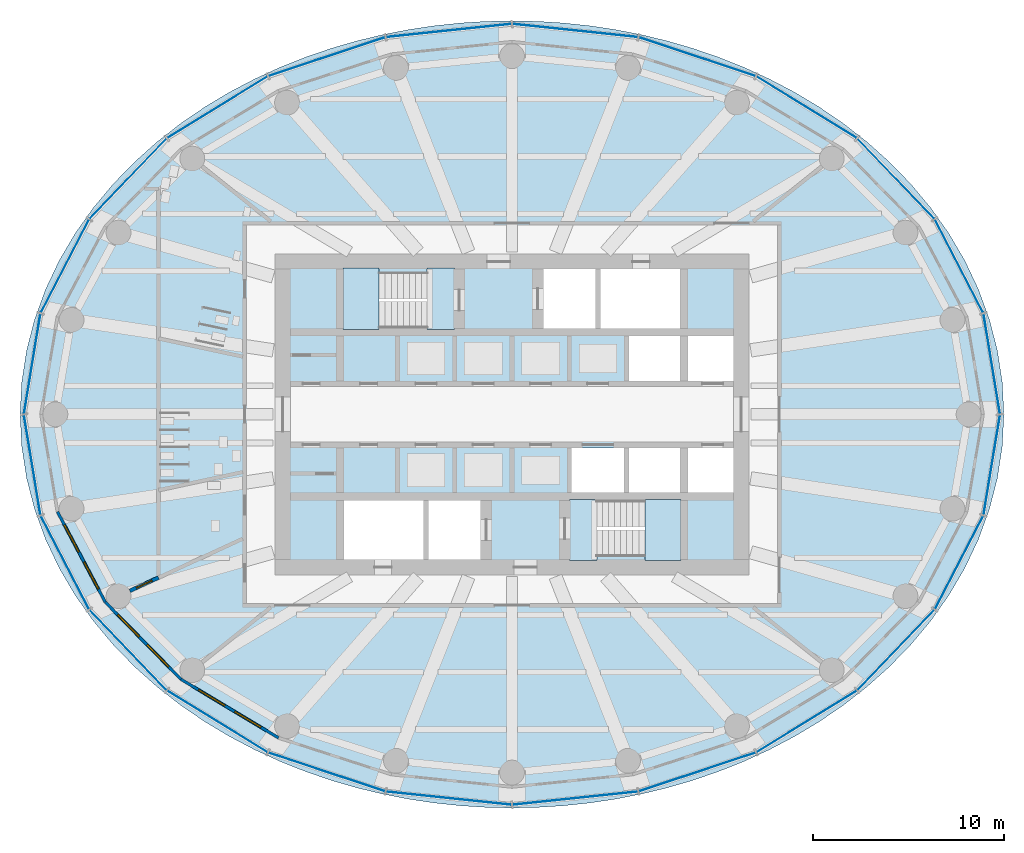
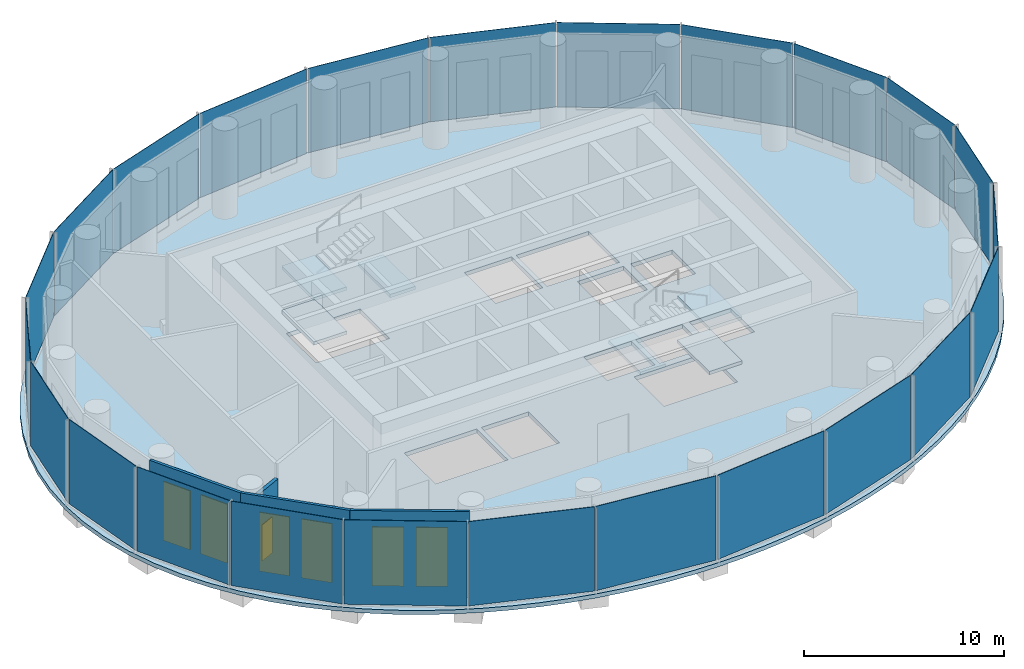
# One storey, part 4 of 13: 24 plates, 7 slabs, 6 windows, 4 walls, 1 door, 7 openings, 6 elements without a shape of their own.
"""IFC4 building model written with IfcOpenShell, lengths in metres."""

from ifc_helpers import new_model, si_unit, direction, frame, frame_2d, origin, origin_2d, place, context, subcontext, project, spatial, polyline, rectangle, outline, extrude, material, layer, layer_set, type_object, element, fill, aggregate, save


model = new_model("IFC4")

# Units and contexts
model_context = context("Model", 3, precision=1e-05, world=origin(), true_north=direction((0.0, 1.0)))
body_context = subcontext(model_context, "Body", "Model", "MODEL_VIEW")
ifc_project = project(units=[si_unit("LENGTHUNIT", "METRE"), si_unit("AREAUNIT", "SQUARE_METRE"), si_unit("VOLUMEUNIT", "CUBIC_METRE"), si_unit("PLANEANGLEUNIT", "RADIAN"), si_unit("MASSUNIT", "GRAM", prefix="KILO")], contexts=[model_context])

# Site, building, storey
site_placement = place(None, origin())
site = spatial("IfcSite", under=ifc_project, at=site_placement, CompositionType="ELEMENT")
building_placement = place(site_placement, origin())
building = spatial("IfcBuilding", under=site, at=building_placement, Name="Hankou Lantern Tower", CompositionType="ELEMENT")
storey_placement = place(building_placement, frame((0.0, 0.0, 100.199951171875)))
storey = spatial("IfcBuildingStorey", under=building, at=storey_placement, Name="L25", CompositionType="ELEMENT", Elevation=100.199951171875)

# Curtain wall, plates
ifc_material_1 = material(Name="Glass, dark grey tinted laminated", Category="glass")
curtain_wall_type = type_object("IfcCurtainWallType", Name="CWB OUTER SKIN MID-RISE", PredefinedType="USERDEFINED", material=ifc_material_1)
curtain_wall_1_placement = place(storey_placement, origin())
curtain_wall_1 = element("IfcCurtainWall", 1, at=curtain_wall_1_placement, inside=storey, type_object=curtain_wall_type, Name="CWB L25 OS1", ObjectType="OUTER SKIN MID-RISE", PredefinedType="USERDEFINED")
ifc_material_2 = material(Name="Glass, dark grey tinted laminated", Category="glass")
ifc_layer_1 = layer(ifc_material_2, 0.028076171875)
ifc_layer_set_1 = layer_set([ifc_layer_1], Name="Glass, dark grey tinted laminated")
plate_type = type_object("IfcPlateType", Name="PN3 OUTER SKIN TALL GLASS PANEL", PredefinedType="CURTAIN_PANEL", material=ifc_layer_set_1)
plate_1_placement = place(storey_placement, frame((25.11474609375, 2.64501953125, 0.080078125), z_axis=(0.0, 0.0, 1.0), x_axis=(-0.162381515188, 0.986728049427, 0.0)))
plate_1 = element("IfcPlate", 2, at=plate_1_placement, type_object=plate_type, Name="CWB glass panel 1", PredefinedType="CURTAIN_PANEL", context=body_context, shape_type="SweptSolid", body=[
    extrude(rectangle(XDim=5.281494140625, YDim=0.028076171875, at=origin_2d()), origin(), (0.0, 0.0, 1.0), 5.139892578125),
])
plate_2_placement = place(storey_placement, frame((23.403076171875, 7.755126953125, 0.080078125), z_axis=(0.0, 0.0, 1.0), x_axis=(-0.459791091957, 0.888027112062, 0.0)))
plate_2 = element("IfcPlate", 3, at=plate_2_placement, type_object=plate_type, Name="CWB glass panel 2", PredefinedType="CURTAIN_PANEL", context=body_context, shape_type="SweptSolid", body=[
    extrude(rectangle(XDim=5.471435546875, YDim=0.028076171875, at=origin_2d()), origin(), (0.0, 0.0, 1.0), 5.139892578125),
])
plate_3_placement = place(storey_placement, frame((20.0966796875, 12.336669921875, 0.080078125), z_axis=(0.0, 0.0, 1.0), x_axis=(-0.692215809936, 0.721690565599, 0.0)))
plate_3 = element("IfcPlate", 4, at=plate_3_placement, type_object=plate_type, Name="CWB glass panel 3", PredefinedType="CURTAIN_PANEL", context=body_context, shape_type="SweptSolid", body=[
    extrude(rectangle(XDim=5.78564453125, YDim=0.028076171875, at=origin_2d()), origin(), (0.0, 0.0, 1.0), 5.139892578125),
])
plate_4_placement = place(storey_placement, frame((15.4208984375, 16.077392578125, 0.080078125), z_axis=(0.0, 0.0, 1.0), x_axis=(-0.852237151549, 0.523155653242, 0.0)))
plate_4 = element("IfcPlate", 5, at=plate_4_placement, type_object=plate_type, Name="CWB glass panel 4", PredefinedType="CURTAIN_PANEL", context=body_context, shape_type="SweptSolid", body=[
    extrude(rectangle(XDim=6.129150390625, YDim=0.028076171875, at=origin_2d()), origin(), (0.0, 0.0, 1.0), 5.139892578125),
])
plate_5_placement = place(storey_placement, frame((9.69384765625, 18.72265625, 0.080078125), z_axis=(0.0, 0.0, 1.0), x_axis=(-0.949240677293, 0.31455068999, 0.0)))
plate_5 = element("IfcPlate", 6, at=plate_5_placement, type_object=plate_type, Name="CWB glass panel 5", PredefinedType="CURTAIN_PANEL", context=body_context, shape_type="SweptSolid", body=[
    extrude(rectangle(XDim=6.41162109375, YDim=0.028076171875, at=origin_2d()), origin(), (0.0, 0.0, 1.0), 5.139892578125),
])
plate_6_placement = place(storey_placement, frame((3.306396484375, 20.091796875, 0.080078125), z_axis=(0.0, 0.0, 1.0), x_axis=(-0.994499359107, 0.104742659579, 0.0)))
plate_6 = element("IfcPlate", 7, at=plate_6_placement, type_object=plate_type, Name="CWB glass panel 6", PredefinedType="CURTAIN_PANEL", context=body_context, shape_type="SweptSolid", body=[
    extrude(rectangle(XDim=6.5693359375, YDim=0.028076171875, at=origin_2d()), origin(), (0.0, 0.0, 1.0), 5.139892578125),
])
aggregate(curtain_wall_1, [plate_1, plate_2, plate_3, plate_4, plate_5, plate_6])

curtain_wall_2_placement = place(storey_placement, origin())
curtain_wall_2 = element("IfcCurtainWall", 8, at=curtain_wall_2_placement, inside=storey, type_object=curtain_wall_type, Name="CWB L25 OS2", ObjectType="OUTER SKIN MID-RISE", PredefinedType="USERDEFINED")
plate_7_placement = place(storey_placement, frame((-3.306396484375, 20.091796875, 0.080078125), z_axis=(0.0, 0.0, 1.0), x_axis=(-0.994499359107, -0.104742659579, 0.0)))
plate_7 = element("IfcPlate", 9, at=plate_7_placement, type_object=plate_type, Name="CWB glass panel 1", PredefinedType="CURTAIN_PANEL", context=body_context, shape_type="SweptSolid", body=[
    extrude(rectangle(XDim=6.5693359375, YDim=0.028076171875, at=origin_2d()), origin(), (0.0, 0.0, 1.0), 5.139892578125),
])
plate_8_placement = place(storey_placement, frame((-9.69384765625, 18.72265625, 0.080078125), z_axis=(0.0, 0.0, 1.0), x_axis=(-0.949240677293, -0.31455068999, 0.0)))
plate_8 = element("IfcPlate", 10, at=plate_8_placement, type_object=plate_type, Name="CWB glass panel 2", PredefinedType="CURTAIN_PANEL", context=body_context, shape_type="SweptSolid", body=[
    extrude(rectangle(XDim=6.41162109375, YDim=0.028076171875, at=origin_2d()), origin(), (0.0, 0.0, 1.0), 5.139892578125),
])
plate_9_placement = place(storey_placement, frame((-15.4208984375, 16.077392578125, 0.080078125), z_axis=(0.0, 0.0, 1.0), x_axis=(-0.852237151549, -0.523155653242, 0.0)))
plate_9 = element("IfcPlate", 11, at=plate_9_placement, type_object=plate_type, Name="CWB glass panel 3", PredefinedType="CURTAIN_PANEL", context=body_context, shape_type="SweptSolid", body=[
    extrude(rectangle(XDim=6.129150390625, YDim=0.028076171875, at=origin_2d()), origin(), (0.0, 0.0, 1.0), 5.139892578125),
])
plate_10_placement = place(storey_placement, frame((-20.0966796875, 12.336669921875, 0.080078125), z_axis=(0.0, 0.0, 1.0), x_axis=(-0.692215809936, -0.721690565599, 0.0)))
plate_10 = element("IfcPlate", 12, at=plate_10_placement, type_object=plate_type, Name="CWB glass panel 4", PredefinedType="CURTAIN_PANEL", context=body_context, shape_type="SweptSolid", body=[
    extrude(rectangle(XDim=5.78564453125, YDim=0.028076171875, at=origin_2d()), origin(), (0.0, 0.0, 1.0), 5.139892578125),
])
plate_11_placement = place(storey_placement, frame((-23.403076171875, 7.755126953125, 0.080078125), z_axis=(0.0, 0.0, 1.0), x_axis=(-0.459791091957, -0.888027112062, 0.0)))
plate_11 = element("IfcPlate", 13, at=plate_11_placement, type_object=plate_type, Name="CWB glass panel 5", PredefinedType="CURTAIN_PANEL", context=body_context, shape_type="SweptSolid", body=[
    extrude(rectangle(XDim=5.471435546875, YDim=0.028076171875, at=origin_2d()), origin(), (0.0, 0.0, 1.0), 5.139892578125),
])
plate_12_placement = place(storey_placement, frame((-25.11474609375, 2.64501953125, 0.080078125), z_axis=(0.0, 0.0, 1.0), x_axis=(-0.162381515188, -0.986728049427, 0.0)))
plate_12 = element("IfcPlate", 14, at=plate_12_placement, type_object=plate_type, Name="CWB glass panel 6", PredefinedType="CURTAIN_PANEL", context=body_context, shape_type="SweptSolid", body=[
    extrude(rectangle(XDim=5.281494140625, YDim=0.028076171875, at=origin_2d()), origin(), (0.0, 0.0, 1.0), 5.139892578125),
])
aggregate(curtain_wall_2, [plate_7, plate_8, plate_9, plate_10, plate_11, plate_12])

curtain_wall_3_placement = place(storey_placement, origin())
curtain_wall_3 = element("IfcCurtainWall", 15, at=curtain_wall_3_placement, inside=storey, type_object=curtain_wall_type, Name="CWB L25 OS3", ObjectType="OUTER SKIN MID-RISE", PredefinedType="USERDEFINED")
plate_13_placement = place(storey_placement, frame((-25.11474609375, -2.64501953125, 0.080078125), z_axis=(0.0, 0.0, 1.0), x_axis=(0.162381515188, -0.986728049427, 0.0)))
plate_13 = element("IfcPlate", 16, at=plate_13_placement, type_object=plate_type, Name="CWB glass panel 1", PredefinedType="CURTAIN_PANEL", context=body_context, shape_type="SweptSolid", body=[
    extrude(rectangle(XDim=5.281494140625, YDim=0.028076171875, at=origin_2d()), origin(), (0.0, 0.0, 1.0), 5.139892578125),
])
plate_14_placement = place(storey_placement, frame((-23.403076171875, -7.755126953125, 0.080078125), z_axis=(0.0, 0.0, 1.0), x_axis=(0.459791091957, -0.888027112062, 0.0)))
plate_14 = element("IfcPlate", 17, at=plate_14_placement, type_object=plate_type, Name="CWB glass panel 2", PredefinedType="CURTAIN_PANEL", context=body_context, shape_type="SweptSolid", body=[
    extrude(rectangle(XDim=5.471435546875, YDim=0.028076171875, at=origin_2d()), origin(), (0.0, 0.0, 1.0), 5.139892578125),
])
plate_15_placement = place(storey_placement, frame((-20.0966796875, -12.336669921875, 0.080078125), z_axis=(0.0, 0.0, 1.0), x_axis=(0.692215809936, -0.721690565599, 0.0)))
plate_15 = element("IfcPlate", 18, at=plate_15_placement, type_object=plate_type, Name="CWB glass panel 3", PredefinedType="CURTAIN_PANEL", context=body_context, shape_type="SweptSolid", body=[
    extrude(rectangle(XDim=5.78564453125, YDim=0.028076171875, at=origin_2d()), origin(), (0.0, 0.0, 1.0), 5.139892578125),
])
plate_16_placement = place(storey_placement, frame((-15.4208984375, -16.077392578125, 0.080078125), z_axis=(0.0, 0.0, 1.0), x_axis=(0.852237151549, -0.523155653242, 0.0)))
plate_16 = element("IfcPlate", 19, at=plate_16_placement, type_object=plate_type, Name="CWB glass panel 4", PredefinedType="CURTAIN_PANEL", context=body_context, shape_type="SweptSolid", body=[
    extrude(rectangle(XDim=6.129150390625, YDim=0.028076171875, at=origin_2d()), origin(), (0.0, 0.0, 1.0), 5.139892578125),
])
plate_17_placement = place(storey_placement, frame((-9.69384765625, -18.72265625, 0.080078125), z_axis=(0.0, 0.0, 1.0), x_axis=(0.949240677293, -0.31455068999, 0.0)))
plate_17 = element("IfcPlate", 20, at=plate_17_placement, type_object=plate_type, Name="CWB glass panel 5", PredefinedType="CURTAIN_PANEL", context=body_context, shape_type="SweptSolid", body=[
    extrude(rectangle(XDim=6.41162109375, YDim=0.028076171875, at=origin_2d()), origin(), (0.0, 0.0, 1.0), 5.139892578125),
])
plate_18_placement = place(storey_placement, frame((-3.306396484375, -20.091796875, 0.080078125), z_axis=(0.0, 0.0, 1.0), x_axis=(0.994499359107, -0.104742659579, 0.0)))
plate_18 = element("IfcPlate", 21, at=plate_18_placement, type_object=plate_type, Name="CWB glass panel 6", PredefinedType="CURTAIN_PANEL", context=body_context, shape_type="SweptSolid", body=[
    extrude(rectangle(XDim=6.5693359375, YDim=0.028076171875, at=origin_2d()), origin(), (0.0, 0.0, 1.0), 5.139892578125),
])
aggregate(curtain_wall_3, [plate_13, plate_14, plate_15, plate_16, plate_17, plate_18])

curtain_wall_4_placement = place(storey_placement, origin())
curtain_wall_4 = element("IfcCurtainWall", 22, at=curtain_wall_4_placement, inside=storey, type_object=curtain_wall_type, Name="CWB L25 OS4", ObjectType="OUTER SKIN MID-RISE", PredefinedType="USERDEFINED")
plate_19_placement = place(storey_placement, frame((3.306396484375, -20.091796875, 0.080078125), z_axis=(0.0, 0.0, 1.0), x_axis=(0.994499359107, 0.104742659579, 0.0)))
plate_19 = element("IfcPlate", 23, at=plate_19_placement, type_object=plate_type, Name="CWB glass panel 1", PredefinedType="CURTAIN_PANEL", context=body_context, shape_type="SweptSolid", body=[
    extrude(rectangle(XDim=6.5693359375, YDim=0.028076171875, at=origin_2d()), origin(), (0.0, 0.0, 1.0), 5.139892578125),
])
plate_20_placement = place(storey_placement, frame((9.69384765625, -18.72265625, 0.080078125), z_axis=(0.0, 0.0, 1.0), x_axis=(0.949240677293, 0.31455068999, 0.0)))
plate_20 = element("IfcPlate", 24, at=plate_20_placement, type_object=plate_type, Name="CWB glass panel 2", PredefinedType="CURTAIN_PANEL", context=body_context, shape_type="SweptSolid", body=[
    extrude(rectangle(XDim=6.41162109375, YDim=0.028076171875, at=origin_2d()), origin(), (0.0, 0.0, 1.0), 5.139892578125),
])
plate_21_placement = place(storey_placement, frame((15.4208984375, -16.077392578125, 0.080078125), z_axis=(0.0, 0.0, 1.0), x_axis=(0.852237151549, 0.523155653242, 0.0)))
plate_21 = element("IfcPlate", 25, at=plate_21_placement, type_object=plate_type, Name="CWB glass panel 3", PredefinedType="CURTAIN_PANEL", context=body_context, shape_type="SweptSolid", body=[
    extrude(rectangle(XDim=6.129150390625, YDim=0.028076171875, at=origin_2d()), origin(), (0.0, 0.0, 1.0), 5.139892578125),
])
plate_22_placement = place(storey_placement, frame((20.0966796875, -12.336669921875, 0.080078125), z_axis=(0.0, 0.0, 1.0), x_axis=(0.692215809936, 0.721690565599, 0.0)))
plate_22 = element("IfcPlate", 26, at=plate_22_placement, type_object=plate_type, Name="CWB glass panel 4", PredefinedType="CURTAIN_PANEL", context=body_context, shape_type="SweptSolid", body=[
    extrude(rectangle(XDim=5.78564453125, YDim=0.028076171875, at=origin_2d()), origin(), (0.0, 0.0, 1.0), 5.139892578125),
])
plate_23_placement = place(storey_placement, frame((23.403076171875, -7.755126953125, 0.080078125), z_axis=(0.0, 0.0, 1.0), x_axis=(0.459791091957, 0.888027112062, 0.0)))
plate_23 = element("IfcPlate", 27, at=plate_23_placement, type_object=plate_type, Name="CWB glass panel 5", PredefinedType="CURTAIN_PANEL", context=body_context, shape_type="SweptSolid", body=[
    extrude(rectangle(XDim=5.471435546875, YDim=0.028076171875, at=origin_2d()), origin(), (0.0, 0.0, 1.0), 5.139892578125),
])
plate_24_placement = place(storey_placement, frame((25.11474609375, -2.64501953125, 0.080078125), z_axis=(0.0, 0.0, 1.0), x_axis=(0.162381515188, 0.986728049427, 0.0)))
plate_24 = element("IfcPlate", 28, at=plate_24_placement, type_object=plate_type, Name="CWB glass panel 6", PredefinedType="CURTAIN_PANEL", context=body_context, shape_type="SweptSolid", body=[
    extrude(rectangle(XDim=5.281494140625, YDim=0.028076171875, at=origin_2d()), origin(), (0.0, 0.0, 1.0), 5.139892578125),
])
aggregate(curtain_wall_4, [plate_19, plate_20, plate_21, plate_22, plate_23, plate_24])

# Slab
ifc_material_3 = material(Name="Concrete C50", Category="concrete")
ifc_layer_2 = layer(ifc_material_3, 0.25)
ifc_layer_set_2 = layer_set([ifc_layer_2], Name="Concrete C50")
slab_type_1 = type_object("IfcSlabType", Name="S2 HEAVY FLOOR SLAB 250", PredefinedType="FLOOR", material=ifc_layer_set_2)
slab_1_placement = place(storey_placement, frame((0.0, 0.0, -0.25)))
element("IfcSlab", 29, at=slab_1_placement, inside=storey, type_object=slab_type_1, Name="Floor slab L25", PredefinedType="FLOOR", context=body_context, shape_type="SweptSolid", body=[
    extrude(outline(polyline([(25.75, 0.0), (25.6640625, 1.68212890625), (25.408203125, 3.344970703125), (24.9892578125, 4.970703125), (24.416748046875, 6.54248046875), (23.704345703125, 8.046630859375), (22.86669921875, 9.4716796875), (21.919921875, 10.809814453125), (20.88037109375, 12.05517578125), (19.763427734375, 13.205322265625), (18.58349609375, 14.259765625), (17.35400390625, 15.218994140625), (16.0859375, 16.0859375), (14.7890625, 16.863525390625), (13.47119140625, 17.55615234375), (12.138916015625, 18.167236328125), (10.79736328125, 18.701416015625), (9.449951171875, 19.16259765625), (8.099609375, 19.554443359375), (6.748291015625, 19.8798828125), (5.397216796875, 20.142333984375), (4.046630859375, 20.343994140625), (2.697021484375, 20.486572265625), (1.348388671875, 20.57177734375), (0.0, 20.60009765625), (-1.348388671875, 20.57177734375), (-2.697021484375, 20.486572265625), (-4.046630859375, 20.343994140625), (-5.397216796875, 20.142333984375), (-6.748291015625, 19.8798828125), (-8.099609375, 19.554443359375), (-9.449951171875, 19.16259765625), (-10.79736328125, 18.701416015625), (-12.138916015625, 18.167236328125), (-13.47119140625, 17.55615234375), (-14.7890625, 16.863525390625), (-16.0859375, 16.0859375), (-17.35400390625, 15.218994140625), (-18.58349609375, 14.259765625), (-19.763427734375, 13.205322265625), (-20.88037109375, 12.05517578125), (-21.919921875, 10.809814453125), (-22.86669921875, 9.4716796875), (-23.704345703125, 8.046630859375), (-24.416748046875, 6.54248046875), (-24.9892578125, 4.970703125), (-25.408203125, 3.344970703125), (-25.6640625, 1.68212890625), (-25.75, 0.0), (-25.6640625, -1.68212890625), (-25.408203125, -3.344970703125), (-24.9892578125, -4.970703125), (-24.416748046875, -6.54248046875), (-23.704345703125, -8.046630859375), (-22.86669921875, -9.4716796875), (-21.919921875, -10.809814453125), (-20.88037109375, -12.05517578125), (-19.763427734375, -13.205322265625), (-18.58349609375, -14.259765625), (-17.35400390625, -15.218994140625), (-16.0859375, -16.0859375), (-14.7890625, -16.863525390625), (-13.47119140625, -17.55615234375), (-12.138916015625, -18.167236328125), (-10.79736328125, -18.701416015625), (-9.449951171875, -19.16259765625), (-8.099609375, -19.554443359375), (-6.748291015625, -19.8798828125), (-5.397216796875, -20.142333984375), (-4.046630859375, -20.343994140625), (-2.697021484375, -20.486572265625), (-1.348388671875, -20.57177734375), (0.0, -20.60009765625), (1.348388671875, -20.57177734375), (2.697021484375, -20.486572265625), (4.046630859375, -20.343994140625), (5.397216796875, -20.142333984375), (6.748291015625, -19.8798828125), (8.099609375, -19.554443359375), (9.449951171875, -19.16259765625), (10.79736328125, -18.701416015625), (12.138916015625, -18.167236328125), (13.47119140625, -17.55615234375), (14.7890625, -16.863525390625), (16.0859375, -16.0859375), (17.35400390625, -15.218994140625), (18.58349609375, -14.259765625), (19.763427734375, -13.205322265625), (20.88037109375, -12.05517578125), (21.919921875, -10.809814453125), (22.86669921875, -9.4716796875), (23.704345703125, -8.046630859375), (24.416748046875, -6.54248046875), (24.9892578125, -4.970703125), (25.408203125, -3.344970703125), (25.6640625, -1.68212890625), (25.75, 0.0)]), holes=[polyline([(6.125, 4.10009765625), (8.800048828125, 4.10009765625), (8.800048828125, 1.75), (6.125, 1.75), (6.125, 4.10009765625)]), polyline([(9.199951171875, 4.10009765625), (11.60009765625, 4.10009765625), (11.60009765625, 1.75), (9.199951171875, 1.75), (9.199951171875, 4.10009765625)]), polyline([(3.125, -1.75), (5.875, -1.75), (5.875, -4.10009765625), (3.125, -4.10009765625), (3.125, -1.75)]), polyline([(6.125, -1.75), (8.800048828125, -1.75), (8.800048828125, -4.10009765625), (6.125, -4.10009765625), (6.125, -1.75)]), polyline([(9.199951171875, -1.75), (11.60009765625, -1.75), (11.60009765625, -4.10009765625), (9.199951171875, -4.10009765625), (9.199951171875, -1.75)]), polyline([(1.64990234375, 7.60009765625), (4.375, 7.60009765625), (4.375, 4.5), (1.64990234375, 4.5), (1.64990234375, 7.60009765625)]), polyline([(-4.375, -4.5), (-1.64990234375, -4.5), (-1.64990234375, -7.60009765625), (-4.375, -7.60009765625), (-4.375, -4.5)]), polyline([(-8.699951171875, 7.449951171875), (-4.449951171875, 7.449951171875), (-4.449951171875, 4.5), (-8.699951171875, 4.5), (-8.699951171875, 7.449951171875)]), polyline([(4.449951171875, -4.5), (8.699951171875, -4.5), (8.699951171875, -7.449951171875), (4.449951171875, -7.449951171875), (4.449951171875, -4.5)]), polyline([(4.625, 7.60009765625), (8.800048828125, 7.60009765625), (8.800048828125, 4.5), (4.625, 4.5), (4.625, 7.60009765625)]), polyline([(-8.800048828125, -4.5), (-4.625, -4.5), (-4.625, -7.60009765625), (-8.800048828125, -7.60009765625), (-8.800048828125, -4.5)])]), origin(), (0.0, 0.0, 1.0), 0.25),
])

# Stair, slabs
ifc_material_4 = material(Name="Concrete C40", Category="concrete")
stair_type = type_object("IfcStairType", Name="ST54 CORE STAIR 5400 RISE", PredefinedType="HALF_TURN_STAIR", material=ifc_material_4)
stair_1_placement = place(storey_placement, origin())
stair_1 = element("IfcStair", 30, at=stair_1_placement, inside=storey, type_object=stair_type, Name="Stair STA L25", PredefinedType="HALF_TURN_STAIR")
ifc_material_5 = material(Name="Concrete C40", Category="concrete")
ifc_layer_3 = layer(ifc_material_5, 0.199951171875)
ifc_layer_set_3 = layer_set([ifc_layer_3], Name="Concrete C40")
slab_type_2 = type_object("IfcSlabType", Name="SL1 STAIR LANDING 200", PredefinedType="LANDING", material=ifc_layer_set_3)
slab_2_placement = place(storey_placement, frame((0.0, 0.0, 1.150146484375)))
slab_2 = element("IfcSlab", 31, at=slab_2_placement, type_object=slab_type_2, Name="STA landing 1", PredefinedType="LANDING", context=body_context, shape_type="SweptSolid", body=[
    extrude(outline(polyline([(-8.85009765625, 4.449951171875), (-6.949951171875, 4.449951171875), (-6.949951171875, 7.64990234375), (-8.85009765625, 7.64990234375), (-8.85009765625, 4.449951171875)])), origin(), (0.0, 0.0, 1.0), 0.199951171875),
])
slab_3_placement = place(storey_placement, frame((0.0, 0.0, 2.5)))
slab_3 = element("IfcSlab", 32, at=slab_3_placement, type_object=slab_type_2, Name="STA landing 2", PredefinedType="LANDING", context=body_context, shape_type="SweptSolid", body=[
    extrude(outline(polyline([(-4.449951171875, 4.449951171875), (-3.0, 4.449951171875), (-3.0, 7.64990234375), (-4.449951171875, 7.64990234375), (-4.449951171875, 4.449951171875)])), origin(), (0.0, 0.0, 1.0), 0.199951171875),
])
slab_4_placement = place(storey_placement, frame((0.0, 0.0, 3.85009765625)))
slab_4 = element("IfcSlab", 33, at=slab_4_placement, type_object=slab_type_2, Name="STA landing 3", PredefinedType="LANDING", context=body_context, shape_type="SweptSolid", body=[
    extrude(outline(polyline([(-8.85009765625, 4.449951171875), (-6.949951171875, 4.449951171875), (-6.949951171875, 7.64990234375), (-8.85009765625, 7.64990234375), (-8.85009765625, 4.449951171875)])), origin(), (0.0, 0.0, 1.0), 0.199951171875),
])
aggregate(stair_1, [slab_2, slab_3, slab_4])

stair_2_placement = place(storey_placement, origin())
stair_2 = element("IfcStair", 34, at=stair_2_placement, inside=storey, type_object=stair_type, Name="Stair STB L25", PredefinedType="HALF_TURN_STAIR")
slab_5_placement = place(storey_placement, frame((0.0, 0.0, 1.150146484375)))
slab_5 = element("IfcSlab", 35, at=slab_5_placement, type_object=slab_type_2, Name="STB landing 1", PredefinedType="LANDING", context=body_context, shape_type="SweptSolid", body=[
    extrude(outline(polyline([(8.85009765625, -4.449951171875), (6.949951171875, -4.449951171875), (6.949951171875, -7.64990234375), (8.85009765625, -7.64990234375), (8.85009765625, -4.449951171875)])), origin(), (0.0, 0.0, 1.0), 0.199951171875),
])
slab_6_placement = place(storey_placement, frame((0.0, 0.0, 2.5)))
slab_6 = element("IfcSlab", 36, at=slab_6_placement, type_object=slab_type_2, Name="STB landing 2", PredefinedType="LANDING", context=body_context, shape_type="SweptSolid", body=[
    extrude(outline(polyline([(4.449951171875, -4.449951171875), (3.0, -4.449951171875), (3.0, -7.64990234375), (4.449951171875, -7.64990234375), (4.449951171875, -4.449951171875)])), origin(), (0.0, 0.0, 1.0), 0.199951171875),
])
slab_7_placement = place(storey_placement, frame((0.0, 0.0, 3.85009765625)))
slab_7 = element("IfcSlab", 37, at=slab_7_placement, type_object=slab_type_2, Name="STB landing 3", PredefinedType="LANDING", context=body_context, shape_type="SweptSolid", body=[
    extrude(outline(polyline([(8.85009765625, -4.449951171875), (6.949951171875, -4.449951171875), (6.949951171875, -7.64990234375), (8.85009765625, -7.64990234375), (8.85009765625, -4.449951171875)])), origin(), (0.0, 0.0, 1.0), 0.199951171875),
])
aggregate(stair_2, [slab_5, slab_6, slab_7])

# Wall, openings, windows
ifc_material_6 = material(Name="Aluminium spandrel panel on steel studs", Category="steel")
ifc_layer_4 = layer(ifc_material_6, 0.14990234375)
ifc_layer_set_4 = layer_set([ifc_layer_4], Name="Aluminium spandrel panel on steel studs")
wall_type_1 = type_object("IfcWallType", Name="EW1 INNER SKIN WALL 150", PredefinedType="ELEMENTEDWALL", material=ifc_layer_set_4)
wall_1_placement = place(storey_placement, frame((-23.7919921875, -5.10009765625, 0.0), z_axis=(0.0, 0.0, 1.0), x_axis=(0.467814388454, -0.883826735257, 0.0)))
wall_1 = element("IfcWall", 38, at=wall_1_placement, inside=storey, type_object=wall_type_1, Name="Inner skin R14-R15 L25", PredefinedType="ELEMENTEDWALL", context=body_context, shape_type="SweptSolid", body=[
    extrude(rectangle(XDim=5.35400390625, YDim=0.14990234375, at=frame_2d((2.677001953125, 0.0))), origin(), (0.0, 0.0, 1.0), 5.219970703125),
])
opening_1_placement = place(wall_1_placement, frame((0.777099609375, 0.0, 0.60009765625)))
opening_1 = element("IfcOpeningElement", 39, at=opening_1_placement, cuts=wall_1, Name="Opening W6", PredefinedType="OPENING", context=body_context, shape_type="SweptSolid", body=[
    extrude(rectangle(XDim=1.60009765625, YDim=3.60009765625, at=frame_2d((0.800048828125, 1.800048828125))), frame((0.0, 0.0849609375, 0.0), z_axis=(0.0, -1.0, 0.0), x_axis=(1.0, 0.0, 0.0)), (0.0, 0.0, 1.0), 0.169921875),
])
opening_2_placement = place(wall_1_placement, frame((2.97705078125, 0.0, 0.60009765625)))
opening_2 = element("IfcOpeningElement", 40, at=opening_2_placement, cuts=wall_1, Name="Opening W6", PredefinedType="OPENING", context=body_context, shape_type="SweptSolid", body=[
    extrude(rectangle(XDim=1.60009765625, YDim=3.60009765625, at=frame_2d((0.800048828125, 1.800048828125))), frame((0.0, 0.0849609375, 0.0), z_axis=(0.0, -1.0, 0.0), x_axis=(1.0, 0.0, 0.0)), (0.0, 0.0, 1.0), 0.169921875),
])
ifc_material_7 = material(Name="Aluminium framed double glazed window", Category="aluminium")
window_type = type_object("IfcWindowType", Name="W6 SKY LOBBY WINDOW 1600X3600", PartitioningType="DOUBLE_PANEL_VERTICAL", PredefinedType="WINDOW", material=ifc_material_7)
window_1_placement = place(opening_1_placement, origin())
window_1 = element("IfcWindow", 41, at=window_1_placement, inside=storey, type_object=window_type, Name="Window R14.1 L25", OverallHeight=3.60009765625, OverallWidth=1.60009765625, PartitioningType="SINGLE_PANEL", PredefinedType="WINDOW", context=body_context, shape_type="SweptSolid", body=[
    extrude(rectangle(XDim=1.60009765625, YDim=3.60009765625, at=frame_2d((0.800048828125, 1.800048828125))), frame((0.0, 0.030029296875, 0.0), z_axis=(0.0, -1.0, 0.0), x_axis=(1.0, 0.0, 0.0)), (0.0, 0.0, 1.0), 0.06005859375),
])
fill(opening_1, window_1)
window_2_placement = place(opening_2_placement, origin())
window_2 = element("IfcWindow", 42, at=window_2_placement, inside=storey, type_object=window_type, Name="Window R14.2 L25", OverallHeight=3.60009765625, OverallWidth=1.60009765625, PartitioningType="SINGLE_PANEL", PredefinedType="WINDOW", context=body_context, shape_type="SweptSolid", body=[
    extrude(rectangle(XDim=1.60009765625, YDim=3.60009765625, at=frame_2d((0.800048828125, 1.800048828125))), frame((0.0, 0.030029296875, 0.0), z_axis=(0.0, -1.0, 0.0), x_axis=(1.0, 0.0, 0.0)), (0.0, 0.0, 1.0), 0.06005859375),
])
fill(opening_2, window_2)

wall_2_placement = place(storey_placement, frame((-21.287353515625, -9.83203125, 0.0), z_axis=(0.0, 0.0, 1.0), x_axis=(0.700136650834, -0.714008872605, 0.0)))
wall_2 = element("IfcWall", 43, at=wall_2_placement, inside=storey, type_object=wall_type_1, Name="Inner skin R15-R16 L25", PredefinedType="ELEMENTEDWALL", context=body_context, shape_type="SweptSolid", body=[
    extrude(rectangle(XDim=5.6494140625, YDim=0.14990234375, at=frame_2d((2.82470703125, 0.0))), origin(), (0.0, 0.0, 1.0), 5.219970703125),
])
opening_3_placement = place(wall_2_placement, frame((0.924560546875, 0.0, 0.60009765625)))
opening_3 = element("IfcOpeningElement", 44, at=opening_3_placement, cuts=wall_2, Name="Opening W6", PredefinedType="OPENING", context=body_context, shape_type="SweptSolid", body=[
    extrude(rectangle(XDim=1.60009765625, YDim=3.60009765625, at=frame_2d((0.800048828125, 1.800048828125))), frame((0.0, 0.0849609375, 0.0), z_axis=(0.0, -1.0, 0.0), x_axis=(1.0, 0.0, 0.0)), (0.0, 0.0, 1.0), 0.169921875),
])
opening_4_placement = place(wall_2_placement, frame((3.12451171875, 0.0, 0.60009765625)))
opening_4 = element("IfcOpeningElement", 45, at=opening_4_placement, cuts=wall_2, Name="Opening W6", PredefinedType="OPENING", context=body_context, shape_type="SweptSolid", body=[
    extrude(rectangle(XDim=1.60009765625, YDim=3.60009765625, at=frame_2d((0.800048828125, 1.800048828125))), frame((0.0, 0.0849609375, 0.0), z_axis=(0.0, -1.0, 0.0), x_axis=(1.0, 0.0, 0.0)), (0.0, 0.0, 1.0), 0.169921875),
])
window_3_placement = place(opening_3_placement, origin())
window_3 = element("IfcWindow", 46, at=window_3_placement, inside=storey, type_object=window_type, Name="Window R15.1 L25", OverallHeight=3.60009765625, OverallWidth=1.60009765625, PartitioningType="SINGLE_PANEL", PredefinedType="WINDOW", context=body_context, shape_type="SweptSolid", body=[
    extrude(rectangle(XDim=1.60009765625, YDim=3.60009765625, at=frame_2d((0.800048828125, 1.800048828125))), frame((0.0, 0.030029296875, 0.0), z_axis=(0.0, -1.0, 0.0), x_axis=(1.0, 0.0, 0.0)), (0.0, 0.0, 1.0), 0.06005859375),
])
fill(opening_3, window_3)
window_4_placement = place(opening_4_placement, origin())
window_4 = element("IfcWindow", 47, at=window_4_placement, inside=storey, type_object=window_type, Name="Window R15.2 L25", OverallHeight=3.60009765625, OverallWidth=1.60009765625, PartitioningType="SINGLE_PANEL", PredefinedType="WINDOW", context=body_context, shape_type="SweptSolid", body=[
    extrude(rectangle(XDim=1.60009765625, YDim=3.60009765625, at=frame_2d((0.800048828125, 1.800048828125))), frame((0.0, 0.030029296875, 0.0), z_axis=(0.0, -1.0, 0.0), x_axis=(1.0, 0.0, 0.0)), (0.0, 0.0, 1.0), 0.06005859375),
])
fill(opening_4, window_4)

wall_3_placement = place(storey_placement, frame((-17.33203125, -13.86572265625, 0.0), z_axis=(0.0, 0.0, 1.0), x_axis=(0.857308573723, -0.514802884044, 0.0)))
wall_3 = element("IfcWall", 48, at=wall_3_placement, inside=storey, type_object=wall_type_1, Name="Inner skin R16-R17 L25", PredefinedType="ELEMENTEDWALL", context=body_context, shape_type="SweptSolid", body=[
    extrude(rectangle(XDim=5.961181640625, YDim=0.14990234375, at=frame_2d((2.98046875, 0.0))), origin(), (0.0, 0.0, 1.0), 5.219970703125),
])
opening_5_placement = place(wall_3_placement, frame((1.08056640625, 0.0, 0.60009765625)))
opening_5 = element("IfcOpeningElement", 49, at=opening_5_placement, cuts=wall_3, Name="Opening W6", PredefinedType="OPENING", context=body_context, shape_type="SweptSolid", body=[
    extrude(rectangle(XDim=1.60009765625, YDim=3.60009765625, at=frame_2d((0.800048828125, 1.800048828125))), frame((0.0, 0.0849609375, 0.0), z_axis=(0.0, -1.0, 0.0), x_axis=(1.0, 0.0, 0.0)), (0.0, 0.0, 1.0), 0.169921875),
])
opening_6_placement = place(wall_3_placement, frame((3.280517578125, 0.0, 0.60009765625)))
opening_6 = element("IfcOpeningElement", 50, at=opening_6_placement, cuts=wall_3, Name="Opening W6", PredefinedType="OPENING", context=body_context, shape_type="SweptSolid", body=[
    extrude(rectangle(XDim=1.60009765625, YDim=3.60009765625, at=frame_2d((0.800048828125, 1.800048828125))), frame((0.0, 0.0849609375, 0.0), z_axis=(0.0, -1.0, 0.0), x_axis=(1.0, 0.0, 0.0)), (0.0, 0.0, 1.0), 0.169921875),
])
window_5_placement = place(opening_5_placement, origin())
window_5 = element("IfcWindow", 51, at=window_5_placement, inside=storey, type_object=window_type, Name="Window R16.1 L25", OverallHeight=3.60009765625, OverallWidth=1.60009765625, PartitioningType="SINGLE_PANEL", PredefinedType="WINDOW", context=body_context, shape_type="SweptSolid", body=[
    extrude(rectangle(XDim=1.60009765625, YDim=3.60009765625, at=frame_2d((0.800048828125, 1.800048828125))), frame((0.0, 0.030029296875, 0.0), z_axis=(0.0, -1.0, 0.0), x_axis=(1.0, 0.0, 0.0)), (0.0, 0.0, 1.0), 0.06005859375),
])
fill(opening_5, window_5)
window_6_placement = place(opening_6_placement, origin())
window_6 = element("IfcWindow", 52, at=window_6_placement, inside=storey, type_object=window_type, Name="Window R16.2 L25", OverallHeight=3.60009765625, OverallWidth=1.60009765625, PartitioningType="SINGLE_PANEL", PredefinedType="WINDOW", context=body_context, shape_type="SweptSolid", body=[
    extrude(rectangle(XDim=1.60009765625, YDim=3.60009765625, at=frame_2d((0.800048828125, 1.800048828125))), frame((0.0, 0.030029296875, 0.0), z_axis=(0.0, -1.0, 0.0), x_axis=(1.0, 0.0, 0.0)), (0.0, 0.0, 1.0), 0.06005859375),
])
fill(opening_6, window_6)

# Wall, opening, door
ifc_material_8 = material(Name="Masonry lightweight concrete block", Category="masonry")
ifc_layer_5 = layer(ifc_material_8, 0.199951171875)
ifc_layer_set_5 = layer_set([ifc_layer_5], Name="Masonry lightweight concrete block")
wall_type_2 = type_object("IfcWallType", Name="IW8 PARTITION 200", PredefinedType="PARTITIONING", material=ifc_layer_set_5)
wall_4_placement = place(storey_placement, frame((-18.5, -8.544677734375, 0.0), z_axis=(0.0, 0.0, 1.0), x_axis=(-0.907808531132, -0.41938487193, 0.0)))
wall_4 = element("IfcWall", 53, at=wall_4_placement, inside=storey, type_object=wall_type_2, Name="Partition R15", PredefinedType="PARTITIONING", context=body_context, shape_type="SweptSolid", body=[
    extrude(rectangle(XDim=1.658447265625, YDim=0.199951171875, at=frame_2d((0.8291015625, 0.0))), origin(), (0.0, 0.0, 1.0), 4.320068359375),
])
opening_7_placement = place(wall_4_placement, frame((0.379150390625, 0.0, 0.0)))
opening_7 = element("IfcOpeningElement", 54, at=opening_7_placement, cuts=wall_4, Name="Opening D12", PredefinedType="OPENING", context=body_context, shape_type="SweptSolid", body=[
    extrude(rectangle(XDim=0.89990234375, YDim=2.199951171875, at=frame_2d((0.449951171875, 1.10009765625))), frame((0.0, 0.10986328125, 0.0), z_axis=(0.0, -1.0, 0.0), x_axis=(1.0, 0.0, 0.0)), (0.0, 0.0, 1.0), 0.219970703125),
])
ifc_material_9 = material(Name="Steel door leaf", Category="steel")
door_type = type_object("IfcDoorType", Name="D12 STORE DOOR 900X2200", OperationType="SINGLE_SWING_LEFT", PredefinedType="DOOR", material=ifc_material_9)
door_placement = place(opening_7_placement, origin())
door = element("IfcDoor", 55, at=door_placement, inside=storey, type_object=door_type, Name="Concierge baggage store door", OperationType="SINGLE_SWING_LEFT", OverallHeight=2.199951171875, OverallWidth=0.89990234375, PredefinedType="DOOR", context=body_context, shape_type="SweptSolid", body=[
    extrude(rectangle(XDim=0.89990234375, YDim=2.199951171875, at=frame_2d((0.449951171875, 1.10009765625))), frame((0.0, 0.02490234375, 0.0), z_axis=(0.0, -1.0, 0.0), x_axis=(1.0, 0.0, 0.0)), (0.0, 0.0, 1.0), 0.050048828125),
])
fill(opening_7, door)

save(model, "model.ifc")
